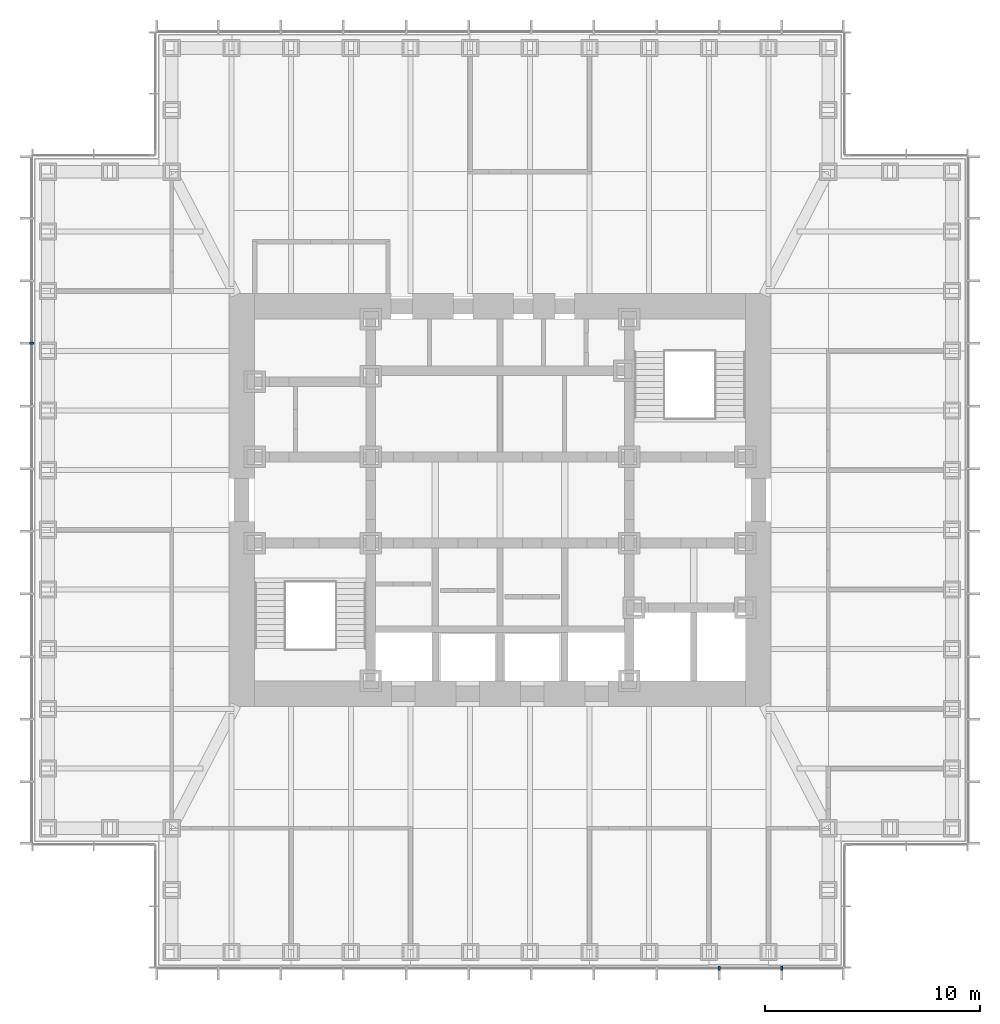
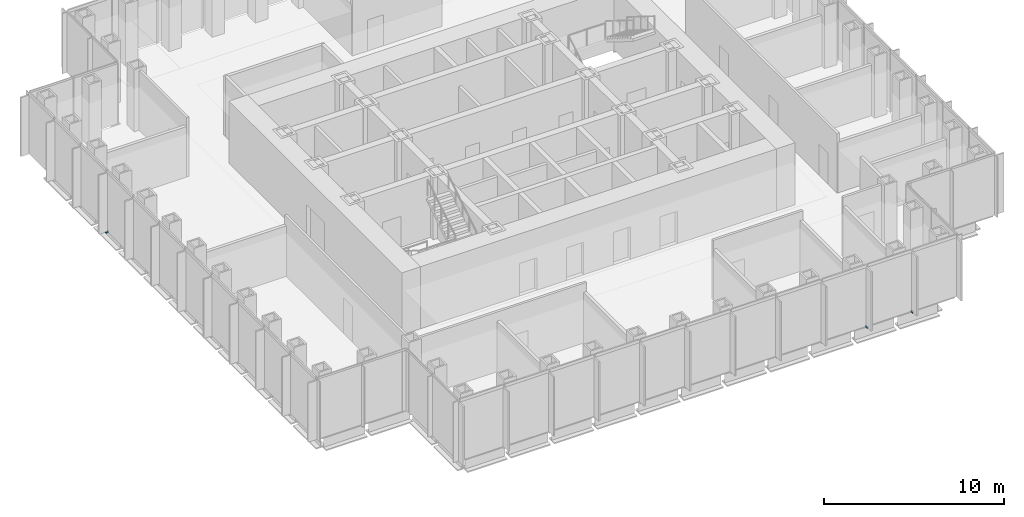
# One storey, part 12 of 16: 3 discrete accessories.
"""IFC4 building model written with IfcOpenShell, lengths in metres."""

from ifc_helpers import new_model, si_unit, direction, frame, origin, origin_2d, place, context, subcontext, project, spatial, rectangle, extrude, element, save


model = new_model("IFC4")

# Units and contexts
model_context = context("Model", 3, precision=1e-05, world=origin(), true_north=direction((0.0, 1.0)))
body_context = subcontext(model_context, "Body", "Model", "MODEL_VIEW")
ifc_project = project(units=[si_unit("LENGTHUNIT", "METRE"), si_unit("AREAUNIT", "SQUARE_METRE"), si_unit("VOLUMEUNIT", "CUBIC_METRE"), si_unit("PLANEANGLEUNIT", "RADIAN"), si_unit("MASSUNIT", "GRAM", prefix="KILO")], contexts=[model_context])

# Site, building, storey
site_placement = place(None, origin())
site = spatial("IfcSite", under=ifc_project, at=site_placement, CompositionType="ELEMENT")
building_placement = place(site_placement, origin())
building = spatial("IfcBuilding", under=site, at=building_placement, Name="Daluyong Arena Tower", CompositionType="ELEMENT")
storey_placement = place(building_placement, frame((0.0, 0.0, 267.10009765625)))
storey = spatial("IfcBuildingStorey", under=building, at=storey_placement, Name="L60", CompositionType="ELEMENT", Elevation=267.10009765625)

# Discrete accessories
for number, where, z_axis, x_axis, name in (
    (1, (66.181884765625, 58.25, -0.10009765625), (0.0, 0.0, 1.0), (1.0, 0.0, 0.0), "curtain wall L60 S anchor bracket 10"),
    (2, (69.0908203125, 58.25, -0.10009765625), (0.0, 0.0, 1.0), (1.0, 0.0, 0.0), "curtain wall L60 S anchor bracket 11"),
    (3, (34.25, 87.272705078125, -0.10009765625), (0.0, 0.0, 1.0), (0.0, -1.0, 0.0), "curtain wall L60 W anchor bracket 4"),
):
    element("IfcDiscreteAccessory", number, at=place(storey_placement, frame(where, z_axis=z_axis, x_axis=x_axis)), inside=storey, Name=name, PredefinedType="BRACKET", context=body_context, shape_type="SweptSolid", body=[
        extrude(rectangle(XDim=0.090087890625, YDim=0.199951171875, at=origin_2d()), origin(), (0.0, 0.0, 1.0), 0.10009765625),
    ])

save(model, "model.ifc")
